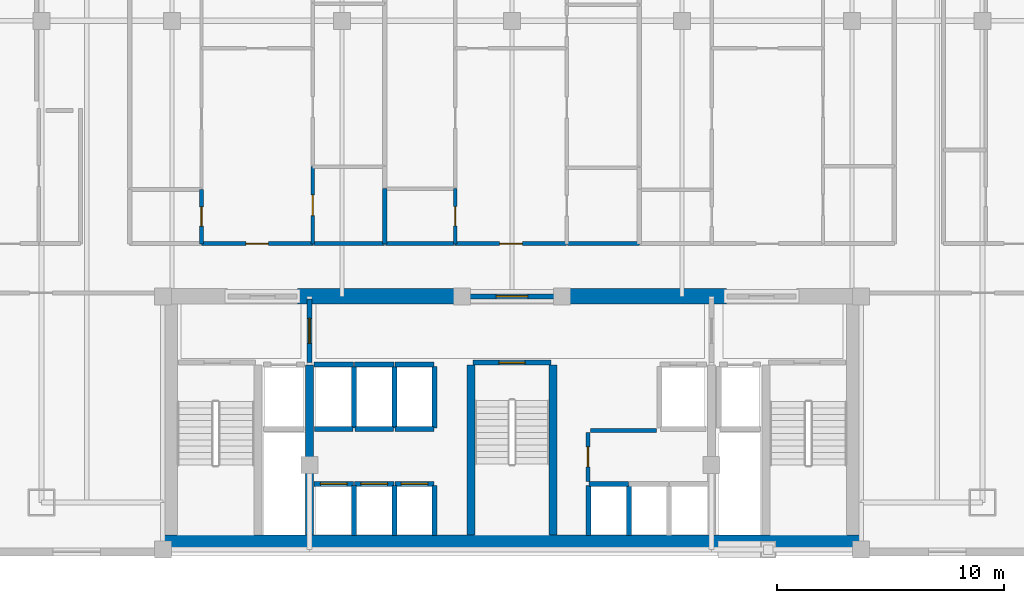
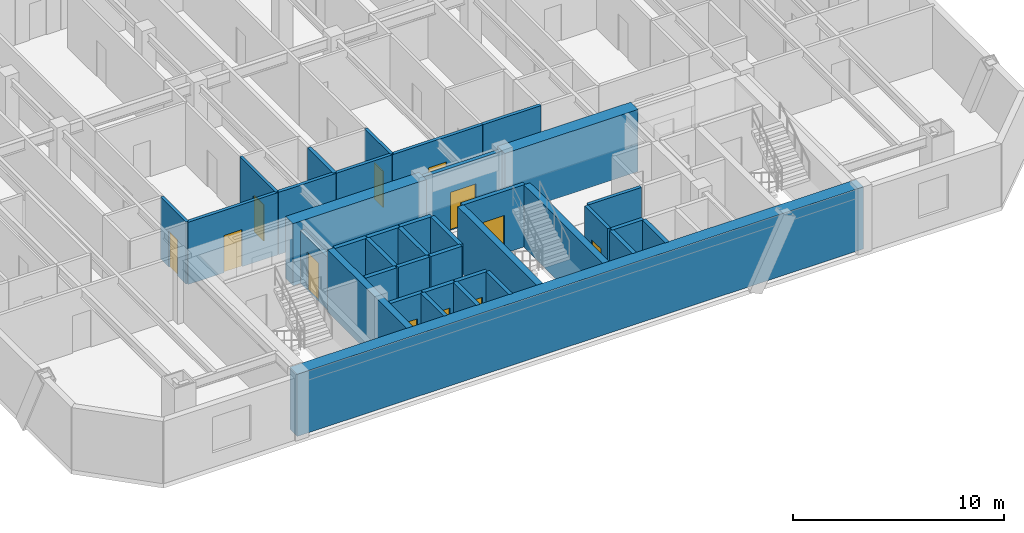
# One storey, part 3 of 11: 38 walls, 12 doors, 12 openings.
"""IFC4 building model written with IfcOpenShell, lengths in metres."""

import ifcopenshell
import ifcopenshell.guid

model = None  # the IFC model being written
_history = None  # IfcOwnerHistory: only IFC2X3 demands one
_inside = {}  # id of a spatial element -> (the spatial element, [elements in it])
_under = {}  # id of a project, library or spatial element -> (it, [spatial elements below it])
_declared = {}  # id of a project -> (the project, [libraries it declares])
_typed = {}  # id of a type object -> (the type object, [elements of that type])
_made_of = {}  # id of a material, layer set ... -> (it, [elements and type objects made of it])


def new_model(schema):
    """Start an empty IFC model of exactly this schema.

    Asked for "IFC4X3", IfcOpenShell would pick the latest addendum, in which some entities
    have other attributes; the version numbers below select the first issue.
    IFC2X3 requires an IfcOwnerHistory on every rooted entity: one is made here for all.
    """
    global model, _history
    if schema == "IFC4X3":
        model = ifcopenshell.file(schema_version=(4, 3, 0, 0))
    else:
        model = ifcopenshell.file(schema=schema)
    _inside.clear()
    _under.clear()
    _declared.clear()
    _typed.clear()
    _made_of.clear()
    _history = None
    if model.schema == "IFC2X3":
        org = make("IfcOrganization", Name="unknown")
        user = make(
            "IfcPersonAndOrganization",
            ThePerson=make("IfcPerson", FamilyName="unknown"),
            TheOrganization=org,
        )
        app = make(
            "IfcApplication",
            ApplicationDeveloper=org,
            Version="unknown",
            ApplicationFullName="unknown",
            ApplicationIdentifier="unknown",
        )
        _history = make(
            "IfcOwnerHistory",
            OwningUser=user,
            OwningApplication=app,
            ChangeAction="ADDED",
            CreationDate=0,
        )
    return model


def make(cls, **values):
    """One entity of the class cls with the attributes given. An attribute that is None is left unset."""
    return model.create_entity(
        cls, **{name: value for name, value in values.items() if value is not None}
    )


def rooted(cls, **values):
    """An entity with a GlobalId (a new one), such as an element, a storey or a relation."""
    return make(cls, GlobalId=ifcopenshell.guid.new(), OwnerHistory=_history, **values)


def si_unit(unit_type, name, prefix=None):
    """IfcSIUnit, for example si_unit("LENGTHUNIT", "METRE", prefix="MILLI")."""
    return make("IfcSIUnit", UnitType=unit_type, Prefix=prefix, Name=name)


def assignment(units):
    """IfcUnitAssignment: the units of a project."""
    return None if units is None else make("IfcUnitAssignment", Units=units)


def point(xyz):
    """IfcCartesianPoint."""
    return None if xyz is None else make("IfcCartesianPoint", Coordinates=xyz)


def direction(xyz):
    """IfcDirection."""
    return None if xyz is None else make("IfcDirection", DirectionRatios=xyz)


def frame(location, z_axis=None, x_axis=None):
    """IfcAxis2Placement3D, a coordinate frame: its origin and axes. An axis left out is left unset."""
    return make(
        "IfcAxis2Placement3D",
        Location=point(location),
        Axis=direction(z_axis),
        RefDirection=direction(x_axis),
    )


def frame_2d(location, x_axis=None):
    """IfcAxis2Placement2D, a coordinate frame in the plane: its origin and x axis."""
    return make(
        "IfcAxis2Placement2D", Location=point(location), RefDirection=direction(x_axis)
    )


def origin():
    """The frame at (0, 0, 0) with its axes left unset."""
    return frame((0.0, 0.0, 0.0))


def place(relative_to, where):
    """IfcLocalPlacement: puts the frame where relative to a parent placement (None: the world)."""
    return make(
        "IfcLocalPlacement", PlacementRelTo=relative_to, RelativePlacement=where
    )


def context(
    kind, dimensions, precision=None, world=None, true_north=None, identifier=None
):
    """IfcGeometricRepresentationContext, for example the 3D "Model" context."""
    return make(
        "IfcGeometricRepresentationContext",
        ContextIdentifier=identifier,
        ContextType=kind,
        CoordinateSpaceDimension=dimensions,
        Precision=precision,
        WorldCoordinateSystem=world,
        TrueNorth=true_north,
    )


def subcontext(parent, identifier, kind, view, scale=None):
    """IfcGeometricRepresentationSubContext, for example "Body" below "Model"."""
    return make(
        "IfcGeometricRepresentationSubContext",
        ContextIdentifier=identifier,
        ContextType=kind,
        ParentContext=parent,
        TargetScale=scale,
        TargetView=view,
    )


def project(units=None, contexts=None):
    """IfcProject with its units and contexts."""
    return rooted(
        "IfcProject",
        Name="project",
        RepresentationContexts=contexts,
        UnitsInContext=assignment(units),
    )


def spatial(cls, under=None, at=None, **own):
    """A site, building, storey or space (cls), placed at a placement, below another one or the project."""
    s = rooted(cls, ObjectPlacement=at, **own)
    if under is not None:
        _under.setdefault(under.id(), (under, []))[1].append(s)
    return s


def profile(cls, at=None, kind="AREA", **sizes):
    """A parametric profile (cls). Its sizes go by their IFC names, for example OverallWidth=200.0."""
    return make(cls, ProfileType=kind, Position=at, **sizes)


def rectangle(**sizes):
    """IfcRectangleProfileDef."""
    return profile("IfcRectangleProfileDef", **sizes)


def extrude(swept, where, along, depth):
    """IfcExtrudedAreaSolid: the profile swept, set in the frame where, extruded along a direction by depth."""
    return make(
        "IfcExtrudedAreaSolid",
        SweptArea=swept,
        Position=where,
        ExtrudedDirection=direction(along),
        Depth=depth,
    )


def shape(context_of_items, identifier, shape_type, items):
    """IfcShapeRepresentation: the items that make up one representation, for example the "Body"."""
    return make(
        "IfcShapeRepresentation",
        ContextOfItems=context_of_items,
        RepresentationIdentifier=identifier,
        RepresentationType=shape_type,
        Items=items,
    )


def material(Name=None, Category=None):
    """IfcMaterial."""
    return make("IfcMaterial", Name=Name, Category=Category)


def layer(
    of_material, thickness, ventilated=None, Name=None, Category=None, Priority=None
):
    """IfcMaterialLayer: one layer of a wall or slab, of a material (None: an air gap)."""
    return make(
        "IfcMaterialLayer",
        Material=of_material,
        LayerThickness=thickness,
        IsVentilated=ventilated,
        Name=Name,
        Category=Category,
        Priority=Priority,
    )


def layer_set(layers, Name=None):
    """IfcMaterialLayerSet."""
    return make("IfcMaterialLayerSet", MaterialLayers=layers, LayerSetName=Name)


def made_of(thing, what):
    """Note that an element or type object is made of a material, layer set ...; save() writes the relation."""
    if what is not None:
        _made_of.setdefault(what.id(), (what, []))[1].append(thing)
    return thing


def type_object(cls, material=None, **own):
    """A type object (cls), such as IfcWallType, which elements share."""
    return made_of(rooted(cls, **own), material)


def element(
    cls,
    number,
    at=None,
    inside=None,
    cuts=None,
    type_object=None,
    material=None,
    context=None,
    identifier="Body",
    shape_type=None,
    held_by="IfcProductDefinitionShape",
    body=None,
    shapes=None,
    **own,
):
    """One element of the class cls, such as IfcWall. Its Tag is "e" and its number.

    at: its placement. inside: the storey or other place that contains it. cuts: it is an
    opening in that element (IfcRelVoidsElement). A single representation is given by context,
    identifier, shape_type and body (its items); several are given by shapes. held_by: the class
    of the entity that holds the representations. save() writes the other relations.
    """
    e = rooted(cls, Tag="e%d" % number, ObjectPlacement=at, **own)
    if body is not None:
        shapes = [shape(context, identifier, shape_type, body)]
    if shapes is not None:
        e.Representation = make(held_by, Representations=shapes)
    if inside is not None:
        _inside.setdefault(inside.id(), (inside, []))[1].append(e)
    if cuts is not None:
        rooted(
            "IfcRelVoidsElement", RelatingBuildingElement=cuts, RelatedOpeningElement=e
        )
    if type_object is not None:
        _typed.setdefault(type_object.id(), (type_object, []))[1].append(e)
    return made_of(e, material)


def fill(opening, filler):
    """IfcRelFillsElement: the door or window that sits in an opening."""
    return rooted(
        "IfcRelFillsElement",
        RelatingOpeningElement=opening,
        RelatedBuildingElement=filler,
    )


def aggregate(whole, parts):
    """IfcRelAggregates: a whole, such as a stair, and the parts it consists of."""
    return rooted("IfcRelAggregates", RelatingObject=whole, RelatedObjects=parts)


def save(model, path):
    """Write the relations noted so far, then the file.

    IfcRelAggregates (storeys below a building ...), IfcRelContainedInSpatialStructure (elements
    in a storey), IfcRelDefinesByType, IfcRelAssociatesMaterial and IfcRelDeclares: one each for
    every whole, place, type object, material and project.
    """
    for whole, parts in _under.values():
        aggregate(whole, parts)
    for where, things in _inside.values():
        rooted(
            "IfcRelContainedInSpatialStructure",
            RelatedElements=things,
            RelatingStructure=where,
        )
    for kind, things in _typed.values():
        rooted("IfcRelDefinesByType", RelatedObjects=things, RelatingType=kind)
    for what, things in _made_of.values():
        rooted("IfcRelAssociatesMaterial", RelatedObjects=things, RelatingMaterial=what)
    for by, libraries in _declared.values():
        rooted("IfcRelDeclares", RelatingContext=by, RelatedDefinitions=libraries)
    model.write(path)


model = new_model("IFC4")

# Units and contexts
model_context = context("Model", 3, precision=1e-05, world=origin(), true_north=direction((0.0, 1.0)))
body_context = subcontext(model_context, "Body", "Model", "MODEL_VIEW")
ifc_project = project(units=[si_unit("LENGTHUNIT", "METRE"), si_unit("AREAUNIT", "SQUARE_METRE"), si_unit("VOLUMEUNIT", "CUBIC_METRE"), si_unit("PLANEANGLEUNIT", "RADIAN"), si_unit("MASSUNIT", "GRAM", prefix="KILO")], contexts=[model_context])

# Site, building, storey
site_placement = place(None, origin())
site = spatial("IfcSite", under=ifc_project, at=site_placement, CompositionType="ELEMENT")
building_placement = place(site_placement, origin())
building = spatial("IfcBuilding", under=site, at=building_placement, Name="Ventersveld Concourse Tower", CompositionType="ELEMENT")
storey_placement = place(building_placement, frame((0.0, 0.0, 111.85009765625)))
storey = spatial("IfcBuildingStorey", under=building, at=storey_placement, Name="L27", CompositionType="ELEMENT", Elevation=111.85009765625)

# Walls
ifc_material_1 = material(Name="Concrete C60/75", Category="concrete")
ifc_layer_1 = layer(ifc_material_1, 0.35009765625)
ifc_layer_set_1 = layer_set([ifc_layer_1], Name="Concrete C60/75")
wall_type_1 = type_object("IfcWallType", Name="WL-CORE-350L", PredefinedType="SHEAR", material=ifc_layer_set_1)
for number, where, z_axis, x_axis, name in (
    (1, (19.820068359375, 0.919921875, 0.0), (0.0, 0.0, 1.0), (0.0, 1.0, 0.0), "L27 Core Internal Shear Web W-FF1-E"),
    (2, (26.93994140625, 0.919921875, 0.0), (0.0, 0.0, 1.0), (0.0, 1.0, 0.0), "L27 Core Internal Shear Web W-ST3-W"),
    (3, (30.56005859375, 0.919921875, 0.0), (0.0, 0.0, 1.0), (0.0, 1.0, 0.0), "L27 Core Internal Shear Web W-ST3-E"),
):
    element("IfcWall", number, at=place(storey_placement, frame(where, z_axis=z_axis, x_axis=x_axis)), inside=storey, type_object=wall_type_1, Name=name, PredefinedType="SHEAR", context=body_context, shape_type="SweptSolid", body=[
        extrude(rectangle(XDim=7.5, YDim=0.35009765625, at=frame_2d((3.75, 0.0))), origin(), (0.0, 0.0, 1.0), 3.599853515625),
    ])
ifc_layer_2 = layer(ifc_material_1, 0.699951171875)
ifc_layer_set_2 = layer_set([ifc_layer_2], Name="Concrete C60/75")
wall_type_2 = type_object("IfcWallType", Name="WL-CORE-700", PredefinedType="SHEAR", material=ifc_layer_set_2)
wall_1_placement = place(storey_placement, frame((13.25, 0.570068359375, 0.0), z_axis=(0.0, 0.0, 1.0), x_axis=(1.0, 0.0, 0.0)))
element("IfcWall", 4, at=wall_1_placement, inside=storey, type_object=wall_type_2, Name="L27 Rear Core South Shear Wall", PredefinedType="SHEAR", context=body_context, shape_type="SweptSolid", body=[
    extrude(rectangle(XDim=31.0, YDim=0.699951171875, at=frame_2d((15.5, 0.0))), origin(), (0.0, 0.0, 1.0), 3.599853515625),
])
for number, where, z_axis, x_axis, name in (
    (5, (19.300048828125, 11.449951171875, 0.0), (0.0, 0.0, 1.0), (1.0, 0.0, 0.0), "L27 Rear Core North Shear Wall NML"),
    (6, (30.89990234375, 11.449951171875, 0.0), (0.0, 0.0, 1.0), (1.0, 0.0, 0.0), "L27 Rear Core North Shear Wall NMR"),
):
    element("IfcWall", number, at=place(storey_placement, frame(where, z_axis=z_axis, x_axis=x_axis)), inside=storey, type_object=wall_type_2, Name=name, PredefinedType="SHEAR", context=body_context, shape_type="SweptSolid", body=[
        extrude(rectangle(XDim=7.300048828125, YDim=0.699951171875, at=frame_2d((3.64990234375, 0.0))), origin(), (0.0, 0.0, 1.0), 3.599853515625),
    ])

# Wall, opening, door
ifc_material_2 = material(Name="Fire-rated autoclaved aerated masonry blockwork", Category="masonry")
ifc_layer_3 = layer(ifc_material_2, 0.179931640625)
ifc_layer_set_3 = layer_set([ifc_layer_3], Name="Fire-rated autoclaved aerated masonry blockwork")
wall_type_3 = type_object("IfcWallType", Name="WL-CORR-180", PredefinedType="PARTITIONING", material=ifc_layer_set_3)
wall_2_placement = place(storey_placement, frame((32.10009765625, 3.280029296875, 0.0), z_axis=(0.0, 0.0, 1.0), x_axis=(0.0, 1.0, 0.0)))
wall_2 = element("IfcWall", 7, at=wall_2_placement, inside=storey, type_object=wall_type_3, Name="L27 Core Passage Wall SP-L27-CBAY2", PredefinedType="PARTITIONING", context=body_context, shape_type="SweptSolid", body=[
    extrude(rectangle(XDim=2.169921875, YDim=0.179931640625, at=frame_2d((1.0849609375, 0.0))), origin(), (0.0, 0.0, 1.0), 3.599853515625),
])
opening_1_placement = place(wall_2_placement, frame((0.64501953125, 0.0, 0.0)))
opening_1 = element("IfcOpeningElement", 8, at=opening_1_placement, cuts=wall_2, Name="Opening FD5", PredefinedType="OPENING", context=body_context, shape_type="SweptSolid", body=[
    extrude(rectangle(XDim=0.8798828125, YDim=2.050048828125, at=frame_2d((0.43994140625, 1.02490234375))), frame((0.0, 0.10009765625, 0.0), z_axis=(0.0, -1.0, 0.0), x_axis=(1.0, 0.0, 0.0)), (0.0, 0.0, 1.0), 0.199951171875),
])
ifc_material_3 = material(Name="Galvanised painted steel", Category="steel")
door_type_1 = type_object("IfcDoorType", Name="DR-RISER-088", OperationType="NOTDEFINED", PredefinedType="DOOR", material=ifc_material_3)
door_1_placement = place(opening_1_placement, origin())
door_1 = element("IfcDoor", 9, at=door_1_placement, inside=storey, type_object=door_type_1, Name="L27 Core Room Door L27 Core Parcel and Mail Store (CD-L27-1319)", OperationType="SINGLE_SWING_RIGHT", OverallHeight=2.050048828125, OverallWidth=0.8798828125, PredefinedType="DOOR", context=body_context, shape_type="SweptSolid", body=[
    extrude(rectangle(XDim=0.8798828125, YDim=2.050048828125, at=frame_2d((0.43994140625, 1.02490234375))), frame((0.0, 0.02490234375, 0.0), z_axis=(0.0, -1.0, 0.0), x_axis=(1.0, 0.0, 0.0)), (0.0, 0.0, 1.0), 0.050048828125),
])
fill(opening_1, door_1)

# Wall
wall_3_placement = place(storey_placement, frame((32.219970703125, 5.530029296875, 0.0), z_axis=(0.0, 0.0, 1.0), x_axis=(1.0, 0.0, 0.0)))
element("IfcWall", 10, at=wall_3_placement, inside=storey, type_object=wall_type_3, Name="L27 Core Top Wall SP-L27-CBAY2", PredefinedType="PARTITIONING", context=body_context, shape_type="SweptSolid", body=[
    extrude(rectangle(XDim=2.900146484375, YDim=0.179931640625, at=frame_2d((1.4501953125, 0.0))), origin(), (0.0, 0.0, 1.0), 3.599853515625),
])

# Wall, opening, door
wall_4_placement = place(storey_placement, frame((15.05126953125, 13.77001953125, 0.0), z_axis=(0.0, 0.0, 1.0), x_axis=(1.0, 0.0, 0.0)))
wall_4 = element("IfcWall", 11, at=wall_4_placement, inside=storey, type_object=wall_type_3, Name="L27 Interior Partition SP-L27-COR-SP-L27-27N1-FOY", PredefinedType="PARTITIONING", context=body_context, shape_type="SweptSolid", body=[
    extrude(rectangle(XDim=4.91748046875, YDim=0.179931640625, at=frame_2d((2.458740234375, 0.0))), origin(), (0.0, 0.0, 1.0), 3.599853515625),
])
opening_2_placement = place(wall_4_placement, frame((1.958740234375, 0.0, 0.0)))
opening_2 = element("IfcOpeningElement", 12, at=opening_2_placement, cuts=wall_4, Name="Opening FD3", PredefinedType="OPENING", context=body_context, shape_type="SweptSolid", body=[
    extrude(rectangle(XDim=1.0, YDim=2.14990234375, at=frame_2d((0.5, 1.074951171875))), frame((0.0, 0.10009765625, 0.0), z_axis=(0.0, -1.0, 0.0), x_axis=(1.0, 0.0, 0.0)), (0.0, 0.0, 1.0), 0.199951171875),
])
ifc_material_4 = material(Name="Solid-core hardwood veneer timber", Category="wood")
door_type_2 = type_object("IfcDoorType", Name="DR-FLAT-100", OperationType="NOTDEFINED", PredefinedType="DOOR", material=ifc_material_4)
door_2_placement = place(opening_2_placement, origin())
door_2 = element("IfcDoor", 13, at=door_2_placement, inside=storey, type_object=door_type_2, Name="L27 Interior Door SP-L27-COR to SP-L27-27N1-FOY (FD-L27-1324)", OperationType="SINGLE_SWING_RIGHT", OverallHeight=2.14990234375, OverallWidth=1.0, PredefinedType="DOOR", context=body_context, shape_type="SweptSolid", body=[
    extrude(rectangle(XDim=1.0, YDim=2.14990234375, at=frame_2d((0.5, 1.074951171875))), frame((0.0, 0.02490234375, 0.0), z_axis=(0.0, -1.0, 0.0), x_axis=(1.0, 0.0, 0.0)), (0.0, 0.0, 1.0), 0.050048828125),
])
fill(opening_2, door_2)

# Wall
wall_5_placement = place(storey_placement, frame((19.998779296875, 13.77001953125, 0.0), z_axis=(0.0, 0.0, 1.0), x_axis=(1.0, 0.0, 0.0)))
element("IfcWall", 14, at=wall_5_placement, inside=storey, type_object=wall_type_3, Name="L27 Interior Partition SP-L27-COR-SP-L27-27N1-KIT", PredefinedType="PARTITIONING", context=body_context, shape_type="SweptSolid", body=[
    extrude(rectangle(XDim=3.13623046875, YDim=0.179931640625, at=frame_2d((1.568115234375, 0.0))), origin(), (0.0, 0.0, 1.0), 3.599853515625),
])

# Wall, opening, door
wall_6_placement = place(storey_placement, frame((26.2451171875, 13.77001953125, 0.0), z_axis=(0.0, 0.0, 1.0), x_axis=(1.0, 0.0, 0.0)))
wall_6 = element("IfcWall", 15, at=wall_6_placement, inside=storey, type_object=wall_type_3, Name="L27 Interior Partition SP-L27-COR-SP-L27-27N2-FOY", PredefinedType="PARTITIONING", context=body_context, shape_type="SweptSolid", body=[
    extrude(rectangle(XDim=4.917724609375, YDim=0.179931640625, at=frame_2d((2.458984375, 0.0))), origin(), (0.0, 0.0, 1.0), 3.599853515625),
])
opening_3_placement = place(wall_6_placement, frame((1.958740234375, 0.0, 0.0)))
opening_3 = element("IfcOpeningElement", 16, at=opening_3_placement, cuts=wall_6, Name="Opening FD3", PredefinedType="OPENING", context=body_context, shape_type="SweptSolid", body=[
    extrude(rectangle(XDim=1.0, YDim=2.14990234375, at=frame_2d((0.5, 1.074951171875))), frame((0.0, 0.10009765625, 0.0), z_axis=(0.0, -1.0, 0.0), x_axis=(1.0, 0.0, 0.0)), (0.0, 0.0, 1.0), 0.199951171875),
])
door_3_placement = place(opening_3_placement, origin())
door_3 = element("IfcDoor", 17, at=door_3_placement, inside=storey, type_object=door_type_2, Name="L27 Interior Door SP-L27-COR to SP-L27-27N2-FOY (FD-L27-1325)", OperationType="SINGLE_SWING_LEFT", OverallHeight=2.14990234375, OverallWidth=1.0, PredefinedType="DOOR", context=body_context, shape_type="SweptSolid", body=[
    extrude(rectangle(XDim=1.0, YDim=2.14990234375, at=frame_2d((0.5, 1.074951171875))), frame((0.0, 0.02490234375, 0.0), z_axis=(0.0, -1.0, 0.0), x_axis=(1.0, 0.0, 0.0)), (0.0, 0.0, 1.0), 0.050048828125),
])
fill(opening_3, door_3)

# Walls
wall_7_placement = place(storey_placement, frame((23.1650390625, 13.77001953125, 0.0), z_axis=(0.0, 0.0, 1.0), x_axis=(1.0, 0.0, 0.0)))
element("IfcWall", 18, at=wall_7_placement, inside=storey, type_object=wall_type_3, Name="L27 Interior Partition SP-L27-COR-SP-L27-27N2-BATH", PredefinedType="PARTITIONING", context=body_context, shape_type="SweptSolid", body=[
    extrude(rectangle(XDim=3.050048828125, YDim=0.179931640625, at=frame_2d((1.52490234375, 0.0))), origin(), (0.0, 0.0, 1.0), 3.599853515625),
])
wall_8_placement = place(storey_placement, frame((31.19287109375, 13.77001953125, 0.0), z_axis=(0.0, 0.0, 1.0), x_axis=(1.0, 0.0, 0.0)))
element("IfcWall", 19, at=wall_8_placement, inside=storey, type_object=wall_type_3, Name="L27 Interior Partition SP-L27-COR-SP-L27-27N2-KIT", PredefinedType="PARTITIONING", context=body_context, shape_type="SweptSolid", body=[
    extrude(rectangle(XDim=3.18212890625, YDim=0.179931640625, at=frame_2d((1.591064453125, 0.0))), origin(), (0.0, 0.0, 1.0), 3.599853515625),
])
ifc_layer_4 = layer(ifc_material_2, 0.199951171875)
ifc_layer_set_4 = layer_set([ifc_layer_4], Name="Fire-rated autoclaved aerated masonry blockwork")
wall_type_4 = type_object("IfcWallType", Name="WL-DEMISE-200", PredefinedType="PARTITIONING", material=ifc_layer_set_4)
wall_9_placement = place(storey_placement, frame((23.1298828125, 13.764892578125, 0.0), z_axis=(0.0, 0.0, 1.0), x_axis=(0.0, 1.0, 0.0)))
element("IfcWall", 20, at=wall_9_placement, inside=storey, type_object=wall_type_4, Name="L27 Interior Partition SP-L27-27N1-KIT-SP-L27-27N2-BATH", PredefinedType="PARTITIONING", context=body_context, shape_type="SweptSolid", body=[
    extrude(rectangle(XDim=2.434814453125, YDim=0.199951171875, at=frame_2d((1.21728515625, 0.0))), origin(), (0.0, 0.0, 1.0), 3.599853515625),
])
ifc_layer_5 = layer(ifc_material_2, 0.219970703125)
ifc_layer_set_5 = layer_set([ifc_layer_5], Name="Fire-rated autoclaved aerated masonry blockwork")
wall_type_5 = type_object("IfcWallType", Name="WL-HOIST-220", PredefinedType="SOLIDWALL", material=ifc_layer_set_5)
wall_10_placement = place(storey_placement, frame((21.780029296875, 0.89990234375, 0.0), z_axis=(0.0, 0.0, 1.0), x_axis=(0.0, 1.0, 0.0)))
element("IfcWall", 21, at=wall_10_placement, inside=storey, type_object=wall_type_5, Name="L27 Lift Hoistway Side Wall PL-01E", PredefinedType="SOLIDWALL", context=body_context, shape_type="SweptSolid", body=[
    extrude(rectangle(XDim=2.2001953125, YDim=0.219970703125, at=frame_2d((1.10009765625, 0.0))), origin(), (0.0, 0.0, 1.0), 3.599853515625),
])

# Wall, opening, door
wall_11_placement = place(storey_placement, frame((20.02001953125, 3.179931640625, 0.0), z_axis=(0.0, 0.0, 1.0), x_axis=(1.0, 0.0, 0.0)))
wall_11 = element("IfcWall", 22, at=wall_11_placement, inside=storey, type_object=wall_type_5, Name="L27 Lift Hoistway Front Wall PL-01", PredefinedType="SOLIDWALL", context=body_context, shape_type="SweptSolid", body=[
    extrude(rectangle(XDim=1.739990234375, YDim=0.219970703125, at=frame_2d((0.8701171875, 0.0))), origin(), (0.0, 0.0, 1.0), 3.599853515625),
])
opening_4_placement = place(wall_11_placement, frame((0.280029296875, 0.0, 0.0)))
opening_4 = element("IfcOpeningElement", 23, at=opening_4_placement, cuts=wall_11, Name="Opening LD2", PredefinedType="OPENING", context=body_context, shape_type="SweptSolid", body=[
    extrude(rectangle(XDim=1.179931640625, YDim=2.199951171875, at=frame_2d((0.58984375, 1.10009765625))), frame((0.0, 0.1201171875, 0.0), z_axis=(0.0, -1.0, 0.0), x_axis=(1.0, 0.0, 0.0)), (0.0, 0.0, 1.0), 0.239990234375),
])
ifc_material_5 = material(Name="Brushed stainless steel 316", Category="steel")
door_type_3 = type_object("IfcDoorType", Name="LD-PAX-118", OperationType="SLIDING_TO_LEFT", PredefinedType="DOOR", material=ifc_material_5)
door_4_placement = place(opening_4_placement, origin())
door_4 = element("IfcDoor", 24, at=door_4_placement, inside=storey, type_object=door_type_3, Name="L27 Lift landing door PL-01 (LD-L27-PL-01)", OperationType="SLIDING_TO_RIGHT", OverallHeight=2.199951171875, OverallWidth=1.179931640625, PredefinedType="DOOR", context=body_context, shape_type="SweptSolid", body=[
    extrude(rectangle(XDim=1.179931640625, YDim=2.199951171875, at=frame_2d((0.58984375, 1.10009765625))), frame((0.0, 0.02490234375, 0.0), z_axis=(0.0, -1.0, 0.0), x_axis=(1.0, 0.0, 0.0)), (0.0, 0.0, 1.0), 0.050048828125),
])
fill(opening_4, door_4)

# Wall
wall_12_placement = place(storey_placement, frame((23.56005859375, 0.89990234375, 0.0), z_axis=(0.0, 0.0, 1.0), x_axis=(0.0, 1.0, 0.0)))
element("IfcWall", 25, at=wall_12_placement, inside=storey, type_object=wall_type_5, Name="L27 Lift Hoistway Side Wall PL-02E", PredefinedType="SOLIDWALL", context=body_context, shape_type="SweptSolid", body=[
    extrude(rectangle(XDim=2.2001953125, YDim=0.219970703125, at=frame_2d((1.10009765625, 0.0))), origin(), (0.0, 0.0, 1.0), 3.599853515625),
])

# Wall, opening, door
wall_13_placement = place(storey_placement, frame((21.800048828125, 3.179931640625, 0.0), z_axis=(0.0, 0.0, 1.0), x_axis=(1.0, 0.0, 0.0)))
wall_13 = element("IfcWall", 26, at=wall_13_placement, inside=storey, type_object=wall_type_5, Name="L27 Lift Hoistway Front Wall PL-02", PredefinedType="SOLIDWALL", context=body_context, shape_type="SweptSolid", body=[
    extrude(rectangle(XDim=1.739990234375, YDim=0.219970703125, at=frame_2d((0.8701171875, 0.0))), origin(), (0.0, 0.0, 1.0), 3.599853515625),
])
opening_5_placement = place(wall_13_placement, frame((0.280029296875, 0.0, 0.0)))
opening_5 = element("IfcOpeningElement", 27, at=opening_5_placement, cuts=wall_13, Name="Opening LD2", PredefinedType="OPENING", context=body_context, shape_type="SweptSolid", body=[
    extrude(rectangle(XDim=1.179931640625, YDim=2.199951171875, at=frame_2d((0.58984375, 1.10009765625))), frame((0.0, 0.1201171875, 0.0), z_axis=(0.0, -1.0, 0.0), x_axis=(1.0, 0.0, 0.0)), (0.0, 0.0, 1.0), 0.239990234375),
])
door_5_placement = place(opening_5_placement, origin())
door_5 = element("IfcDoor", 28, at=door_5_placement, inside=storey, type_object=door_type_3, Name="L27 Lift landing door PL-02 (LD-L27-PL-02)", OperationType="SLIDING_TO_LEFT", OverallHeight=2.199951171875, OverallWidth=1.179931640625, PredefinedType="DOOR", context=body_context, shape_type="SweptSolid", body=[
    extrude(rectangle(XDim=1.179931640625, YDim=2.199951171875, at=frame_2d((0.58984375, 1.10009765625))), frame((0.0, 0.02490234375, 0.0), z_axis=(0.0, -1.0, 0.0), x_axis=(1.0, 0.0, 0.0)), (0.0, 0.0, 1.0), 0.050048828125),
])
fill(opening_5, door_5)

# Wall
wall_14_placement = place(storey_placement, frame((25.340087890625, 0.89990234375, 0.0), z_axis=(0.0, 0.0, 1.0), x_axis=(0.0, 1.0, 0.0)))
element("IfcWall", 29, at=wall_14_placement, inside=storey, type_object=wall_type_5, Name="L27 Lift Hoistway Side Wall PL-03E", PredefinedType="SOLIDWALL", context=body_context, shape_type="SweptSolid", body=[
    extrude(rectangle(XDim=2.2001953125, YDim=0.219970703125, at=frame_2d((1.10009765625, 0.0))), origin(), (0.0, 0.0, 1.0), 3.599853515625),
])

# Wall, opening, door
wall_15_placement = place(storey_placement, frame((23.580078125, 3.179931640625, 0.0), z_axis=(0.0, 0.0, 1.0), x_axis=(1.0, 0.0, 0.0)))
wall_15 = element("IfcWall", 30, at=wall_15_placement, inside=storey, type_object=wall_type_5, Name="L27 Lift Hoistway Front Wall PL-03", PredefinedType="SOLIDWALL", context=body_context, shape_type="SweptSolid", body=[
    extrude(rectangle(XDim=1.739990234375, YDim=0.219970703125, at=frame_2d((0.8701171875, 0.0))), origin(), (0.0, 0.0, 1.0), 3.599853515625),
])
opening_6_placement = place(wall_15_placement, frame((0.280029296875, 0.0, 0.0)))
opening_6 = element("IfcOpeningElement", 31, at=opening_6_placement, cuts=wall_15, Name="Opening LD2", PredefinedType="OPENING", context=body_context, shape_type="SweptSolid", body=[
    extrude(rectangle(XDim=1.179931640625, YDim=2.199951171875, at=frame_2d((0.58984375, 1.10009765625))), frame((0.0, 0.1201171875, 0.0), z_axis=(0.0, -1.0, 0.0), x_axis=(1.0, 0.0, 0.0)), (0.0, 0.0, 1.0), 0.239990234375),
])
door_6_placement = place(opening_6_placement, origin())
door_6 = element("IfcDoor", 32, at=door_6_placement, inside=storey, type_object=door_type_3, Name="L27 Lift landing door PL-03 (LD-L27-PL-03)", OperationType="SLIDING_TO_RIGHT", OverallHeight=2.199951171875, OverallWidth=1.179931640625, PredefinedType="DOOR", context=body_context, shape_type="SweptSolid", body=[
    extrude(rectangle(XDim=1.179931640625, YDim=2.199951171875, at=frame_2d((0.58984375, 1.10009765625))), frame((0.0, 0.02490234375, 0.0), z_axis=(0.0, -1.0, 0.0), x_axis=(1.0, 0.0, 0.0)), (0.0, 0.0, 1.0), 0.050048828125),
])
fill(opening_6, door_6)

# Walls
for number, where, z_axis, x_axis, name in (
    (33, (32.1201171875, 0.89990234375, 0.0), (0.0, 0.0, 1.0), (0.0, 1.0, 0.0), "L27 Lift Hoistway Side Wall PM-01W"),
    (34, (33.89990234375, 0.89990234375, 0.0), (0.0, 0.0, 1.0), (0.0, 1.0, 0.0), "L27 Lift Hoistway Side Wall PM-01E"),
):
    element("IfcWall", number, at=place(storey_placement, frame(where, z_axis=z_axis, x_axis=x_axis)), inside=storey, type_object=wall_type_5, Name=name, PredefinedType="SOLIDWALL", context=body_context, shape_type="SweptSolid", body=[
        extrude(rectangle(XDim=2.2001953125, YDim=0.219970703125, at=frame_2d((1.10009765625, 0.0))), origin(), (0.0, 0.0, 1.0), 3.599853515625),
    ])
wall_16_placement = place(storey_placement, frame((32.139892578125, 3.179931640625, 0.0), z_axis=(0.0, 0.0, 1.0), x_axis=(1.0, 0.0, 0.0)))
element("IfcWall", 35, at=wall_16_placement, inside=storey, type_object=wall_type_5, Name="L27 Lift Hoistway Front Wall PM-01", PredefinedType="SOLIDWALL", context=body_context, shape_type="SweptSolid", body=[
    extrude(rectangle(XDim=1.739990234375, YDim=0.219970703125, at=frame_2d((0.8701171875, 0.0))), origin(), (0.0, 0.0, 1.0), 3.599853515625),
])
wall_17_placement = place(storey_placement, frame((20.0400390625, 5.590087890625, 0.0), z_axis=(0.0, 0.0, 1.0), x_axis=(1.0, 0.0, 0.0)))
element("IfcWall", 36, at=wall_17_placement, inside=storey, type_object=wall_type_5, Name="L27 Lift Hoistway Back Wall PH-01", PredefinedType="SOLIDWALL", context=body_context, shape_type="SweptSolid", body=[
    extrude(rectangle(XDim=1.699951171875, YDim=0.219970703125, at=frame_2d((0.85009765625, 0.0))), origin(), (0.0, 0.0, 1.0), 3.599853515625),
])
wall_18_placement = place(storey_placement, frame((21.780029296875, 5.64990234375, 0.0), z_axis=(0.0, 0.0, 1.0), x_axis=(0.0, 1.0, 0.0)))
element("IfcWall", 37, at=wall_18_placement, inside=storey, type_object=wall_type_5, Name="L27 Lift Hoistway Side Wall PH-01E", PredefinedType="SOLIDWALL", context=body_context, shape_type="SweptSolid", body=[
    extrude(rectangle(XDim=2.7001953125, YDim=0.219970703125, at=frame_2d((1.35009765625, 0.0))), origin(), (0.0, 0.0, 1.0), 3.599853515625),
])
wall_19_placement = place(storey_placement, frame((20.02001953125, 8.429931640625, 0.0), z_axis=(0.0, 0.0, 1.0), x_axis=(1.0, 0.0, 0.0)))
element("IfcWall", 38, at=wall_19_placement, inside=storey, type_object=wall_type_5, Name="L27 Lift Hoistway Front Wall PH-01", PredefinedType="SOLIDWALL", context=body_context, shape_type="SweptSolid", body=[
    extrude(rectangle(XDim=1.739990234375, YDim=0.219970703125, at=frame_2d((0.8701171875, 0.0))), origin(), (0.0, 0.0, 1.0), 3.599853515625),
])
wall_20_placement = place(storey_placement, frame((21.820068359375, 5.590087890625, 0.0), z_axis=(0.0, 0.0, 1.0), x_axis=(1.0, 0.0, 0.0)))
element("IfcWall", 39, at=wall_20_placement, inside=storey, type_object=wall_type_5, Name="L27 Lift Hoistway Back Wall PH-02", PredefinedType="SOLIDWALL", context=body_context, shape_type="SweptSolid", body=[
    extrude(rectangle(XDim=1.699951171875, YDim=0.219970703125, at=frame_2d((0.85009765625, 0.0))), origin(), (0.0, 0.0, 1.0), 3.599853515625),
])
wall_21_placement = place(storey_placement, frame((23.56005859375, 5.64990234375, 0.0), z_axis=(0.0, 0.0, 1.0), x_axis=(0.0, 1.0, 0.0)))
element("IfcWall", 40, at=wall_21_placement, inside=storey, type_object=wall_type_5, Name="L27 Lift Hoistway Side Wall PH-02E", PredefinedType="SOLIDWALL", context=body_context, shape_type="SweptSolid", body=[
    extrude(rectangle(XDim=2.7001953125, YDim=0.219970703125, at=frame_2d((1.35009765625, 0.0))), origin(), (0.0, 0.0, 1.0), 3.599853515625),
])
wall_22_placement = place(storey_placement, frame((21.800048828125, 8.429931640625, 0.0), z_axis=(0.0, 0.0, 1.0), x_axis=(1.0, 0.0, 0.0)))
element("IfcWall", 41, at=wall_22_placement, inside=storey, type_object=wall_type_5, Name="L27 Lift Hoistway Front Wall PH-02", PredefinedType="SOLIDWALL", context=body_context, shape_type="SweptSolid", body=[
    extrude(rectangle(XDim=1.739990234375, YDim=0.219970703125, at=frame_2d((0.8701171875, 0.0))), origin(), (0.0, 0.0, 1.0), 3.599853515625),
])
wall_23_placement = place(storey_placement, frame((23.60009765625, 5.590087890625, 0.0), z_axis=(0.0, 0.0, 1.0), x_axis=(1.0, 0.0, 0.0)))
element("IfcWall", 42, at=wall_23_placement, inside=storey, type_object=wall_type_5, Name="L27 Lift Hoistway Back Wall PH-03", PredefinedType="SOLIDWALL", context=body_context, shape_type="SweptSolid", body=[
    extrude(rectangle(XDim=1.699951171875, YDim=0.219970703125, at=frame_2d((0.85009765625, 0.0))), origin(), (0.0, 0.0, 1.0), 3.599853515625),
])
wall_24_placement = place(storey_placement, frame((25.340087890625, 5.64990234375, 0.0), z_axis=(0.0, 0.0, 1.0), x_axis=(0.0, 1.0, 0.0)))
element("IfcWall", 43, at=wall_24_placement, inside=storey, type_object=wall_type_5, Name="L27 Lift Hoistway Side Wall PH-03E", PredefinedType="SOLIDWALL", context=body_context, shape_type="SweptSolid", body=[
    extrude(rectangle(XDim=2.7001953125, YDim=0.219970703125, at=frame_2d((1.35009765625, 0.0))), origin(), (0.0, 0.0, 1.0), 3.599853515625),
])
wall_25_placement = place(storey_placement, frame((23.580078125, 8.429931640625, 0.0), z_axis=(0.0, 0.0, 1.0), x_axis=(1.0, 0.0, 0.0)))
element("IfcWall", 44, at=wall_25_placement, inside=storey, type_object=wall_type_5, Name="L27 Lift Hoistway Front Wall PH-03", PredefinedType="SOLIDWALL", context=body_context, shape_type="SweptSolid", body=[
    extrude(rectangle(XDim=1.739990234375, YDim=0.219970703125, at=frame_2d((0.8701171875, 0.0))), origin(), (0.0, 0.0, 1.0), 3.599853515625),
])

# Wall, opening, door
wall_26_placement = place(storey_placement, frame((27.0400390625, 8.52001953125, 0.0), z_axis=(0.0, 0.0, 1.0), x_axis=(1.0, 0.0, 0.0)))
wall_26 = element("IfcWall", 45, at=wall_26_placement, inside=storey, type_object=wall_type_5, Name="L27 Escape Stair ST03 Fire Wall", PredefinedType="SOLIDWALL", context=body_context, shape_type="SweptSolid", body=[
    extrude(rectangle(XDim=3.419921875, YDim=0.219970703125, at=frame_2d((1.7099609375, 0.0))), origin(), (0.0, 0.0, 1.0), 3.599853515625),
])
opening_7_placement = place(wall_26_placement, frame((1.135009765625, 0.0, 0.0)))
opening_7 = element("IfcOpeningElement", 46, at=opening_7_placement, cuts=wall_26, Name="Opening FD1", PredefinedType="OPENING", context=body_context, shape_type="SweptSolid", body=[
    extrude(rectangle(XDim=1.14990234375, YDim=2.199951171875, at=frame_2d((0.574951171875, 1.10009765625))), frame((0.0, 0.1201171875, 0.0), z_axis=(0.0, -1.0, 0.0), x_axis=(1.0, 0.0, 0.0)), (0.0, 0.0, 1.0), 0.239990234375),
])
door_type_4 = type_object("IfcDoorType", Name="DR-STAIR-115", OperationType="NOTDEFINED", PredefinedType="DOOR", material=ifc_material_3)
door_7_placement = place(opening_7_placement, origin())
door_7 = element("IfcDoor", 47, at=door_7_placement, inside=storey, type_object=door_type_4, Name="L27 Escape Stair Door ST03 (SD-L27-1313)", OperationType="SINGLE_SWING_LEFT", OverallHeight=2.199951171875, OverallWidth=1.14990234375, PredefinedType="DOOR", context=body_context, shape_type="SweptSolid", body=[
    extrude(rectangle(XDim=1.14990234375, YDim=2.199951171875, at=frame_2d((0.574951171875, 1.10009765625))), frame((0.0, 0.02490234375, 0.0), z_axis=(0.0, -1.0, 0.0), x_axis=(1.0, 0.0, 0.0)), (0.0, 0.0, 1.0), 0.050048828125),
])
fill(opening_7, door_7)

wall_27_placement = place(storey_placement, frame((19.820068359375, 8.52001953125, 0.0), z_axis=(0.0, 0.0, 1.0), x_axis=(0.0, 1.0, 0.0)))
wall_27 = element("IfcWall", 48, at=wall_27_placement, inside=storey, type_object=wall_type_5, Name="L27 Firefighting Lobby Smoke-Stop Wall FFLW-SEP", PredefinedType="SOLIDWALL", context=body_context, shape_type="SweptSolid", body=[
    extrude(rectangle(XDim=2.800048828125, YDim=0.219970703125, at=frame_2d((1.39990234375, 0.0))), origin(), (0.0, 0.0, 1.0), 3.055419921875),
])
opening_8_placement = place(wall_27_placement, frame((0.85009765625, 0.0, 0.0)))
opening_8 = element("IfcOpeningElement", 49, at=opening_8_placement, cuts=wall_27, Name="Opening FD2", PredefinedType="OPENING", context=body_context, shape_type="SweptSolid", body=[
    extrude(rectangle(XDim=1.10009765625, YDim=2.199951171875, at=frame_2d((0.550048828125, 1.10009765625))), frame((0.0, 0.1201171875, 0.0), z_axis=(0.0, -1.0, 0.0), x_axis=(1.0, 0.0, 0.0)), (0.0, 0.0, 1.0), 0.239990234375),
])
door_type_5 = type_object("IfcDoorType", Name="DR-FFL-110", OperationType="NOTDEFINED", PredefinedType="DOOR", material=ifc_material_3)
door_8_placement = place(opening_8_placement, origin())
door_8 = element("IfcDoor", 50, at=door_8_placement, inside=storey, type_object=door_type_5, Name="L27 Firefighting Lobby Door FFLW-SEP (FD-L27-1314)", OperationType="SINGLE_SWING_LEFT", OverallHeight=2.199951171875, OverallWidth=1.10009765625, PredefinedType="DOOR", context=body_context, shape_type="SweptSolid", body=[
    extrude(rectangle(XDim=1.10009765625, YDim=2.199951171875, at=frame_2d((0.550048828125, 1.10009765625))), frame((0.0, 0.02490234375, 0.0), z_axis=(0.0, -1.0, 0.0), x_axis=(1.0, 0.0, 0.0)), (0.0, 0.0, 1.0), 0.050048828125),
])
fill(opening_8, door_8)

wall_28_placement = place(storey_placement, frame((26.6298828125, 11.449951171875, 0.0), z_axis=(0.0, 0.0, 1.0), x_axis=(1.0, 0.0, 0.0)))
wall_28 = element("IfcWall", 51, at=wall_28_placement, inside=storey, type_object=wall_type_5, Name="L27 Core North Fire Portal PLOB-OUT", PredefinedType="SOLIDWALL", context=body_context, shape_type="SweptSolid", body=[
    extrude(rectangle(XDim=4.240234375, YDim=0.219970703125, at=frame_2d((2.1201171875, 0.0))), origin(), (0.0, 0.0, 1.0), 3.599853515625),
])
opening_9_placement = place(wall_28_placement, frame((1.419921875, 0.0, 0.0)))
opening_9 = element("IfcOpeningElement", 52, at=opening_9_placement, cuts=wall_28, Name="Opening FD4", PredefinedType="OPENING", context=body_context, shape_type="SweptSolid", body=[
    extrude(rectangle(XDim=1.39990234375, YDim=2.199951171875, at=frame_2d((0.699951171875, 1.10009765625))), frame((0.0, 0.1201171875, 0.0), z_axis=(0.0, -1.0, 0.0), x_axis=(1.0, 0.0, 0.0)), (0.0, 0.0, 1.0), 0.239990234375),
])
door_type_6 = type_object("IfcDoorType", Name="DR-PLANT-140", OperationType="DOUBLE_DOOR_SINGLE_SWING", PredefinedType="DOOR", material=ifc_material_3)
door_9_placement = place(opening_9_placement, origin())
door_9 = element("IfcDoor", 53, at=door_9_placement, inside=storey, type_object=door_type_6, Name="L27 Core Lobby Fire Door PLOB-OUT (FD-L27-1317)", OperationType="DOUBLE_DOOR_SINGLE_SWING", OverallHeight=2.199951171875, OverallWidth=1.39990234375, PredefinedType="DOOR", context=body_context, shape_type="SweptSolid", body=[
    extrude(rectangle(XDim=1.39990234375, YDim=2.199951171875, at=frame_2d((0.699951171875, 1.10009765625))), frame((0.0, 0.02490234375, 0.0), z_axis=(0.0, -1.0, 0.0), x_axis=(1.0, 0.0, 0.0)), (0.0, 0.0, 1.0), 0.050048828125),
])
fill(opening_9, door_9)

ifc_material_6 = material(Name="Autoclaved aerated masonry blockwork", Category="masonry")
ifc_layer_6 = layer(ifc_material_6, 0.14990234375)
ifc_layer_set_6 = layer_set([ifc_layer_6], Name="Autoclaved aerated masonry blockwork")
wall_type_6 = type_object("IfcWallType", Name="WL-INT-150", PredefinedType="PARTITIONING", material=ifc_layer_set_6)
wall_29_placement = place(storey_placement, frame((19.9638671875, 13.764892578125, 0.0), z_axis=(0.0, 0.0, 1.0), x_axis=(0.0, 1.0, 0.0)))
wall_29 = element("IfcWall", 54, at=wall_29_placement, inside=storey, type_object=wall_type_6, Name="L27 Interior Partition SP-L27-27N1-FOY-SP-L27-27N1-KIT", PredefinedType="PARTITIONING", context=body_context, shape_type="SweptSolid", body=[
    extrude(rectangle(XDim=3.405029296875, YDim=0.14990234375, at=frame_2d((1.70263671875, 0.0))), origin(), (0.0, 0.0, 1.0), 3.599853515625),
])
opening_10_placement = place(wall_29_placement, frame((1.242431640625, 0.0, 0.0)))
opening_10 = element("IfcOpeningElement", 55, at=opening_10_placement, cuts=wall_29, Name="Opening ID1", PredefinedType="OPENING", context=body_context, shape_type="SweptSolid", body=[
    extrude(rectangle(XDim=0.919921875, YDim=2.10009765625, at=frame_2d((0.4599609375, 1.050048828125))), frame((0.0, 0.0849609375, 0.0), z_axis=(0.0, -1.0, 0.0), x_axis=(1.0, 0.0, 0.0)), (0.0, 0.0, 1.0), 0.169921875),
])
door_type_7 = type_object("IfcDoorType", Name="DR-ROOM-092", OperationType="NOTDEFINED", PredefinedType="DOOR", material=ifc_material_4)
door_10_placement = place(opening_10_placement, origin())
door_10 = element("IfcDoor", 56, at=door_10_placement, inside=storey, type_object=door_type_7, Name="L27 Interior Door SP-L27-27N1-FOY to SP-L27-27N1-KIT (D-L27-1340)", OperationType="SINGLE_SWING_RIGHT", OverallHeight=2.10009765625, OverallWidth=0.919921875, PredefinedType="DOOR", context=body_context, shape_type="SweptSolid", body=[
    extrude(rectangle(XDim=0.919921875, YDim=2.10009765625, at=frame_2d((0.4599609375, 1.050048828125))), frame((0.0, 0.02490234375, 0.0), z_axis=(0.0, -1.0, 0.0), x_axis=(1.0, 0.0, 0.0)), (0.0, 0.0, 1.0), 0.050048828125),
])
fill(opening_10, door_10)

ifc_layer_7 = layer(ifc_material_6, 0.1650390625)
ifc_layer_set_7 = layer_set([ifc_layer_7], Name="Autoclaved aerated masonry blockwork")
wall_type_7 = type_object("IfcWallType", Name="WL-WET-165", PredefinedType="PLUMBINGWALL", material=ifc_layer_set_7)
wall_30_placement = place(storey_placement, frame((15.05615234375, 13.764892578125, 0.0), z_axis=(0.0, 0.0, 1.0), x_axis=(0.0, 1.0, 0.0)))
wall_30 = element("IfcWall", 57, at=wall_30_placement, inside=storey, type_object=wall_type_7, Name="L27 Interior Partition SP-L27-27N1-FOY-SP-L27-27N1-BATH", PredefinedType="PLUMBINGWALL", context=body_context, shape_type="SweptSolid", body=[
    extrude(rectangle(XDim=2.400390625, YDim=0.1650390625, at=frame_2d((1.2001953125, 0.0))), origin(), (0.0, 0.0, 1.0), 3.599853515625),
])
opening_11_placement = place(wall_30_placement, frame((0.775146484375, 0.0, 0.0)))
opening_11 = element("IfcOpeningElement", 58, at=opening_11_placement, cuts=wall_30, Name="Opening ID2", PredefinedType="OPENING", context=body_context, shape_type="SweptSolid", body=[
    extrude(rectangle(XDim=0.85009765625, YDim=2.10009765625, at=frame_2d((0.425048828125, 1.050048828125))), frame((0.0, 0.092529296875, 0.0), z_axis=(0.0, -1.0, 0.0), x_axis=(1.0, 0.0, 0.0)), (0.0, 0.0, 1.0), 0.18505859375),
])
door_type_8 = type_object("IfcDoorType", Name="DR-BATH-085", OperationType="NOTDEFINED", PredefinedType="DOOR", material=ifc_material_4)
door_11_placement = place(opening_11_placement, origin())
door_11 = element("IfcDoor", 59, at=door_11_placement, inside=storey, type_object=door_type_8, Name="L27 Interior Door SP-L27-27N1-FOY to SP-L27-27N1-BATH (D-L27-1338)", OperationType="SINGLE_SWING_RIGHT", OverallHeight=2.10009765625, OverallWidth=0.85009765625, PredefinedType="DOOR", context=body_context, shape_type="SweptSolid", body=[
    extrude(rectangle(XDim=0.85009765625, YDim=2.10009765625, at=frame_2d((0.425048828125, 1.050048828125))), frame((0.0, 0.02490234375, 0.0), z_axis=(0.0, -1.0, 0.0), x_axis=(1.0, 0.0, 0.0)), (0.0, 0.0, 1.0), 0.050048828125),
])
fill(opening_11, door_11)

wall_31_placement = place(storey_placement, frame((26.250244140625, 13.764892578125, 0.0), z_axis=(0.0, 0.0, 1.0), x_axis=(0.0, 1.0, 0.0)))
wall_31 = element("IfcWall", 60, at=wall_31_placement, inside=storey, type_object=wall_type_7, Name="L27 Interior Partition SP-L27-27N2-FOY-SP-L27-27N2-BATH", PredefinedType="PLUMBINGWALL", context=body_context, shape_type="SweptSolid", body=[
    extrude(rectangle(XDim=2.434814453125, YDim=0.1650390625, at=frame_2d((1.21728515625, 0.0))), origin(), (0.0, 0.0, 1.0), 3.599853515625),
])
opening_12_placement = place(wall_31_placement, frame((0.792236328125, 0.0, 0.0)))
opening_12 = element("IfcOpeningElement", 61, at=opening_12_placement, cuts=wall_31, Name="Opening ID2", PredefinedType="OPENING", context=body_context, shape_type="SweptSolid", body=[
    extrude(rectangle(XDim=0.85009765625, YDim=2.10009765625, at=frame_2d((0.425048828125, 1.050048828125))), frame((0.0, 0.092529296875, 0.0), z_axis=(0.0, -1.0, 0.0), x_axis=(1.0, 0.0, 0.0)), (0.0, 0.0, 1.0), 0.18505859375),
])
door_12_placement = place(opening_12_placement, origin())
door_12 = element("IfcDoor", 62, at=door_12_placement, inside=storey, type_object=door_type_8, Name="L27 Interior Door SP-L27-27N2-FOY to SP-L27-27N2-BATH (D-L27-1350)", OperationType="SINGLE_SWING_RIGHT", OverallHeight=2.10009765625, OverallWidth=0.85009765625, PredefinedType="DOOR", context=body_context, shape_type="SweptSolid", body=[
    extrude(rectangle(XDim=0.85009765625, YDim=2.10009765625, at=frame_2d((0.425048828125, 1.050048828125))), frame((0.0, 0.02490234375, 0.0), z_axis=(0.0, -1.0, 0.0), x_axis=(1.0, 0.0, 0.0)), (0.0, 0.0, 1.0), 0.050048828125),
])
fill(opening_12, door_12)

save(model, "model.ifc")
